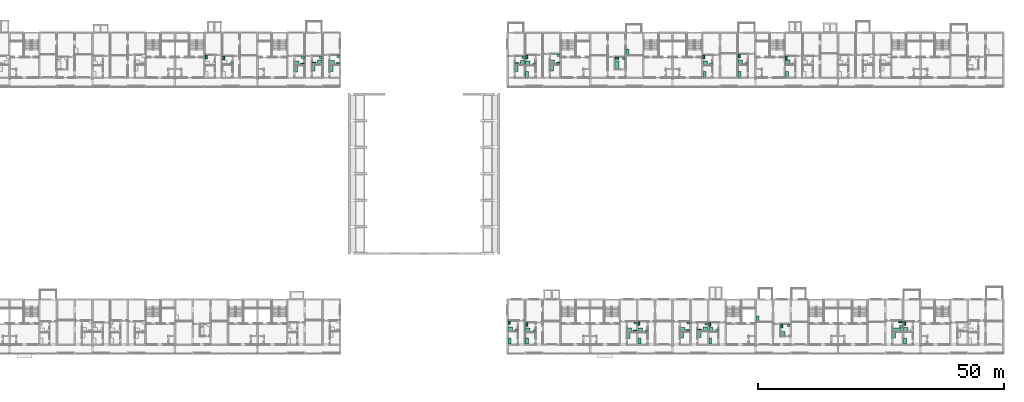
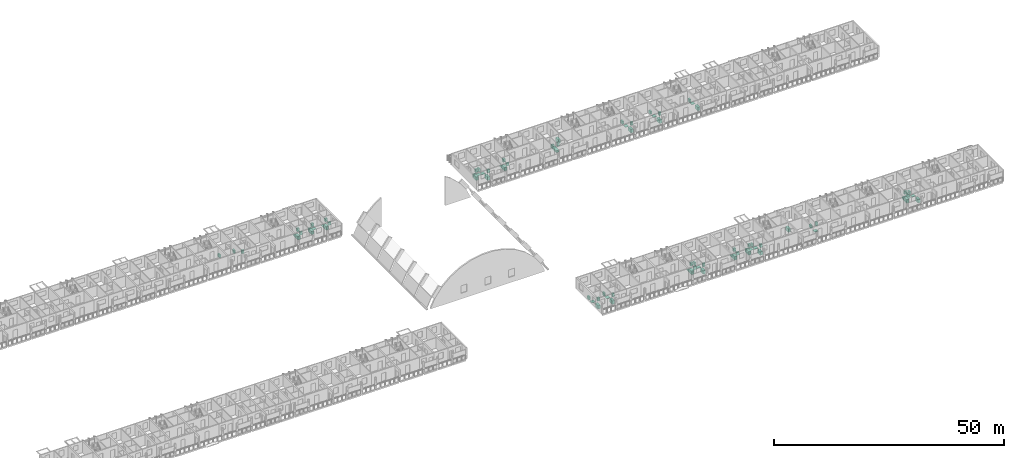
# One storey, part 99 of 100: 81 sanitary terminals.
"""IFC4 building model written with IfcOpenShell, lengths in metres."""

from ifc_helpers import new_model, si_unit, direction, frame, origin, origin_2d, place, context, subcontext, project, spatial, rectangle, extrude, element, save


model = new_model("IFC4")

# Units and contexts
model_context = context("Model", 3, precision=1e-05, world=origin(), true_north=direction((0.0, 1.0)))
body_context = subcontext(model_context, "Body", "Model", "MODEL_VIEW")
ifc_project = project(units=[si_unit("LENGTHUNIT", "METRE"), si_unit("AREAUNIT", "SQUARE_METRE"), si_unit("VOLUMEUNIT", "CUBIC_METRE"), si_unit("PLANEANGLEUNIT", "RADIAN"), si_unit("MASSUNIT", "GRAM", prefix="KILO")], contexts=[model_context])

# Site, building, storey
site_placement = place(None, origin())
site = spatial("IfcSite", under=ifc_project, at=site_placement, CompositionType="ELEMENT")
building_placement = place(site_placement, origin())
building = spatial("IfcBuilding", under=site, at=building_placement, Name="Ridgestep Commons", CompositionType="ELEMENT")
storey_placement = place(building_placement, frame((0.0, 0.0, 9.0)))
storey = spatial("IfcBuildingStorey", under=building, at=storey_placement, Name="L03", CompositionType="ELEMENT", Elevation=9.0)

# Sanitary terminals
sanitary_terminal_1_placement = place(storey_placement, frame((89.10009765625, 71.949951171875, 0.0), z_axis=(0.0, 0.0, 1.0), x_axis=(1.0, 0.0, 0.0)))
element("IfcSanitaryTerminal", 1, at=sanitary_terminal_1_placement, inside=storey, Name="WC B5-03a", PredefinedType="TOILETPAN", context=body_context, shape_type="SweptSolid", body=[
    extrude(rectangle(XDim=0.39990234375, YDim=0.699951171875, at=origin_2d()), origin(), (0.0, 0.0, 1.0), 0.800048828125),
])
sanitary_terminal_2_placement = place(storey_placement, frame((90.614990234375, 70.8349609375, 0.0), z_axis=(0.0, 0.0, 1.0), x_axis=(1.0, 0.0, 0.0)))
element("IfcSanitaryTerminal", 2, at=sanitary_terminal_2_placement, inside=storey, Name="Basin B5-03a", PredefinedType="WASHHANDBASIN", context=body_context, shape_type="SweptSolid", body=[
    extrude(rectangle(XDim=0.550048828125, YDim=0.449951171875, at=origin_2d()), origin(), (0.0, 0.0, 1.0), 0.85009765625),
])
sanitary_terminal_3_placement = place(storey_placement, frame((85.52490234375, 72.14990234375, 0.0), z_axis=(0.0, 0.0, 1.0), x_axis=(1.0, 0.0, 0.0)))
element("IfcSanitaryTerminal", 3, at=sanitary_terminal_3_placement, inside=storey, Name="WC B5-03b", PredefinedType="TOILETPAN", context=body_context, shape_type="SweptSolid", body=[
    extrude(rectangle(XDim=0.39990234375, YDim=0.699951171875, at=origin_2d()), origin(), (0.0, 0.0, 1.0), 0.800048828125),
])
sanitary_terminal_4_placement = place(storey_placement, frame((111.159912109375, 70.9599609375, 0.0), z_axis=(0.0, 0.0, 1.0), x_axis=(1.0, 0.0, 0.0)))
element("IfcSanitaryTerminal", 4, at=sanitary_terminal_4_placement, inside=storey, Name="Shower tray B6-03a", PredefinedType="SHOWER", context=body_context, shape_type="SweptSolid", body=[
    extrude(rectangle(XDim=0.89990234375, YDim=0.89990234375, at=origin_2d()), origin(), (0.0, 0.0, 1.0), 0.10009765625),
])
sanitary_terminal_5_placement = place(storey_placement, frame((112.300048828125, 70.7099609375, 0.0), z_axis=(0.0, 0.0, 1.0), x_axis=(1.0, 0.0, 0.0)))
element("IfcSanitaryTerminal", 5, at=sanitary_terminal_5_placement, inside=storey, Name="WC B6-03a", PredefinedType="TOILETPAN", context=body_context, shape_type="SweptSolid", body=[
    extrude(rectangle(XDim=0.699951171875, YDim=0.39990234375, at=origin_2d()), origin(), (0.0, 0.0, 1.0), 0.800048828125),
])
sanitary_terminal_6_placement = place(storey_placement, frame((112.375, 72.27490234375, 0.0), z_axis=(0.0, 0.0, 1.0), x_axis=(1.0, 0.0, 0.0)))
element("IfcSanitaryTerminal", 6, at=sanitary_terminal_6_placement, inside=storey, Name="Basin B6-03a", PredefinedType="WASHHANDBASIN", context=body_context, shape_type="SweptSolid", body=[
    extrude(rectangle(XDim=0.550048828125, YDim=0.449951171875, at=origin_2d()), origin(), (0.0, 0.0, 1.0), 0.85009765625),
])
sanitary_terminal_7_placement = place(storey_placement, frame((111.010009765625, 69.800048828125, 0.0), z_axis=(0.0, 0.0, 1.0), x_axis=(1.0, 0.0, 0.0)))
element("IfcSanitaryTerminal", 7, at=sanitary_terminal_7_placement, inside=storey, Name="Kitchen sink B6-03a", PredefinedType="SINK", context=body_context, shape_type="SweptSolid", body=[
    extrude(rectangle(XDim=0.60009765625, YDim=1.199951171875, at=origin_2d()), origin(), (0.0, 0.0, 1.0), 0.89990234375),
])
sanitary_terminal_8_placement = place(storey_placement, frame((108.64990234375, 71.06005859375, 0.0), z_axis=(0.0, 0.0, 1.0), x_axis=(1.0, 0.0, 0.0)))
element("IfcSanitaryTerminal", 8, at=sanitary_terminal_8_placement, inside=storey, Name="Shower tray B6-03b", PredefinedType="SHOWER", context=body_context, shape_type="SweptSolid", body=[
    extrude(rectangle(XDim=0.89990234375, YDim=0.89990234375, at=origin_2d()), origin(), (0.0, 0.0, 1.0), 0.10009765625),
])
sanitary_terminal_9_placement = place(storey_placement, frame((107.4599609375, 70.81005859375, 0.0), z_axis=(0.0, 0.0, 1.0), x_axis=(1.0, 0.0, 0.0)))
element("IfcSanitaryTerminal", 9, at=sanitary_terminal_9_placement, inside=storey, Name="WC B6-03b", PredefinedType="TOILETPAN", context=body_context, shape_type="SweptSolid", body=[
    extrude(rectangle(XDim=0.699951171875, YDim=0.39990234375, at=origin_2d()), origin(), (0.0, 0.0, 1.0), 0.800048828125),
])
sanitary_terminal_10_placement = place(storey_placement, frame((108.824951171875, 72.074951171875, 0.0), z_axis=(0.0, 0.0, 1.0), x_axis=(1.0, 0.0, 0.0)))
element("IfcSanitaryTerminal", 10, at=sanitary_terminal_10_placement, inside=storey, Name="Basin B6-03b", PredefinedType="WASHHANDBASIN", context=body_context, shape_type="SweptSolid", body=[
    extrude(rectangle(XDim=0.550048828125, YDim=0.449951171875, at=origin_2d()), origin(), (0.0, 0.0, 1.0), 0.85009765625),
])
sanitary_terminal_11_placement = place(storey_placement, frame((107.409912109375, 69.89990234375, 0.0), z_axis=(0.0, 0.0, 1.0), x_axis=(1.0, 0.0, 0.0)))
element("IfcSanitaryTerminal", 11, at=sanitary_terminal_11_placement, inside=storey, Name="Kitchen sink B6-03b", PredefinedType="SINK", context=body_context, shape_type="SweptSolid", body=[
    extrude(rectangle(XDim=0.60009765625, YDim=1.199951171875, at=origin_2d()), origin(), (0.0, 0.0, 1.0), 0.89990234375),
])
sanitary_terminal_12_placement = place(storey_placement, frame((103.985107421875, 70.860107421875, 0.0), z_axis=(0.0, 0.0, 1.0), x_axis=(1.0, 0.0, 0.0)))
element("IfcSanitaryTerminal", 12, at=sanitary_terminal_12_placement, inside=storey, Name="Shower tray B6-03c", PredefinedType="SHOWER", context=body_context, shape_type="SweptSolid", body=[
    extrude(rectangle(XDim=0.89990234375, YDim=0.89990234375, at=origin_2d()), origin(), (0.0, 0.0, 1.0), 0.10009765625),
])
sanitary_terminal_13_placement = place(storey_placement, frame((105.14990234375, 70.610107421875, 0.0), z_axis=(0.0, 0.0, 1.0), x_axis=(1.0, 0.0, 0.0)))
element("IfcSanitaryTerminal", 13, at=sanitary_terminal_13_placement, inside=storey, Name="WC B6-03c", PredefinedType="TOILETPAN", context=body_context, shape_type="SweptSolid", body=[
    extrude(rectangle(XDim=0.699951171875, YDim=0.39990234375, at=origin_2d()), origin(), (0.0, 0.0, 1.0), 0.800048828125),
])
sanitary_terminal_14_placement = place(storey_placement, frame((105.22509765625, 72.074951171875, 0.0), z_axis=(0.0, 0.0, 1.0), x_axis=(1.0, 0.0, 0.0)))
element("IfcSanitaryTerminal", 14, at=sanitary_terminal_14_placement, inside=storey, Name="Basin B6-03c", PredefinedType="WASHHANDBASIN", context=body_context, shape_type="SweptSolid", body=[
    extrude(rectangle(XDim=0.550048828125, YDim=0.449951171875, at=origin_2d()), origin(), (0.0, 0.0, 1.0), 0.85009765625),
])
sanitary_terminal_15_placement = place(storey_placement, frame((103.8349609375, 69.699951171875, 0.0), z_axis=(0.0, 0.0, 1.0), x_axis=(1.0, 0.0, 0.0)))
element("IfcSanitaryTerminal", 15, at=sanitary_terminal_15_placement, inside=storey, Name="Kitchen sink B6-03c", PredefinedType="SINK", context=body_context, shape_type="SweptSolid", body=[
    extrude(rectangle(XDim=0.60009765625, YDim=1.199951171875, at=origin_2d()), origin(), (0.0, 0.0, 1.0), 0.89990234375),
])
sanitary_terminal_16_placement = place(storey_placement, frame((149.85009765625, 70.9599609375, 0.0), z_axis=(0.0, 0.0, 1.0), x_axis=(1.0, 0.0, 0.0)))
element("IfcSanitaryTerminal", 16, at=sanitary_terminal_16_placement, inside=storey, Name="Shower tray C1-03a", PredefinedType="SHOWER", context=body_context, shape_type="SweptSolid", body=[
    extrude(rectangle(XDim=0.89990234375, YDim=0.89990234375, at=origin_2d()), origin(), (0.0, 0.0, 1.0), 0.10009765625),
])
sanitary_terminal_17_placement = place(storey_placement, frame((148.7099609375, 70.7099609375, 0.0), z_axis=(0.0, 0.0, 1.0), x_axis=(1.0, 0.0, 0.0)))
element("IfcSanitaryTerminal", 17, at=sanitary_terminal_17_placement, inside=storey, Name="WC C1-03a", PredefinedType="TOILETPAN", context=body_context, shape_type="SweptSolid", body=[
    extrude(rectangle(XDim=0.699951171875, YDim=0.39990234375, at=origin_2d()), origin(), (0.0, 0.0, 1.0), 0.800048828125),
])
sanitary_terminal_18_placement = place(storey_placement, frame((150.02490234375, 72.074951171875, 0.0), z_axis=(0.0, 0.0, 1.0), x_axis=(1.0, 0.0, 0.0)))
element("IfcSanitaryTerminal", 18, at=sanitary_terminal_18_placement, inside=storey, Name="Basin C1-03a", PredefinedType="WASHHANDBASIN", context=body_context, shape_type="SweptSolid", body=[
    extrude(rectangle(XDim=0.550048828125, YDim=0.449951171875, at=origin_2d()), origin(), (0.0, 0.0, 1.0), 0.85009765625),
])
sanitary_terminal_19_placement = place(storey_placement, frame((148.659912109375, 69.800048828125, 0.0), z_axis=(0.0, 0.0, 1.0), x_axis=(1.0, 0.0, 0.0)))
element("IfcSanitaryTerminal", 19, at=sanitary_terminal_19_placement, inside=storey, Name="Kitchen sink C1-03a", PredefinedType="SINK", context=body_context, shape_type="SweptSolid", body=[
    extrude(rectangle(XDim=0.60009765625, YDim=1.199951171875, at=origin_2d()), origin(), (0.0, 0.0, 1.0), 0.89990234375),
])
sanitary_terminal_20_placement = place(storey_placement, frame((150.949951171875, 70.860107421875, 0.0), z_axis=(0.0, 0.0, 1.0), x_axis=(1.0, 0.0, 0.0)))
element("IfcSanitaryTerminal", 20, at=sanitary_terminal_20_placement, inside=storey, Name="Shower tray C1-03b", PredefinedType="SHOWER", context=body_context, shape_type="SweptSolid", body=[
    extrude(rectangle(XDim=0.89990234375, YDim=0.89990234375, at=origin_2d()), origin(), (0.0, 0.0, 1.0), 0.10009765625),
])
sanitary_terminal_21_placement = place(storey_placement, frame((150.699951171875, 72.14990234375, 0.0), z_axis=(0.0, 0.0, 1.0), x_axis=(1.0, 0.0, 0.0)))
element("IfcSanitaryTerminal", 21, at=sanitary_terminal_21_placement, inside=storey, Name="WC C1-03b", PredefinedType="TOILETPAN", context=body_context, shape_type="SweptSolid", body=[
    extrude(rectangle(XDim=0.39990234375, YDim=0.699951171875, at=origin_2d()), origin(), (0.0, 0.0, 1.0), 0.800048828125),
])
sanitary_terminal_22_placement = place(storey_placement, frame((152.215087890625, 70.635009765625, 0.0), z_axis=(0.0, 0.0, 1.0), x_axis=(1.0, 0.0, 0.0)))
element("IfcSanitaryTerminal", 22, at=sanitary_terminal_22_placement, inside=storey, Name="Basin C1-03b", PredefinedType="WASHHANDBASIN", context=body_context, shape_type="SweptSolid", body=[
    extrude(rectangle(XDim=0.550048828125, YDim=0.449951171875, at=origin_2d()), origin(), (0.0, 0.0, 1.0), 0.85009765625),
])
sanitary_terminal_23_placement = place(storey_placement, frame((150.800048828125, 68.60009765625, 0.0), z_axis=(0.0, 0.0, 1.0), x_axis=(1.0, 0.0, 0.0)))
element("IfcSanitaryTerminal", 23, at=sanitary_terminal_23_placement, inside=storey, Name="Kitchen sink C1-03b", PredefinedType="SINK", context=body_context, shape_type="SweptSolid", body=[
    extrude(rectangle(XDim=0.60009765625, YDim=1.199951171875, at=origin_2d()), origin(), (0.0, 0.0, 1.0), 0.89990234375),
])
sanitary_terminal_24_placement = place(storey_placement, frame((155.9599609375, 71.06005859375, 0.0), z_axis=(0.0, 0.0, 1.0), x_axis=(1.0, 0.0, 0.0)))
element("IfcSanitaryTerminal", 24, at=sanitary_terminal_24_placement, inside=storey, Name="Shower tray C1-03c", PredefinedType="SHOWER", context=body_context, shape_type="SweptSolid", body=[
    extrude(rectangle(XDim=0.89990234375, YDim=0.89990234375, at=origin_2d()), origin(), (0.0, 0.0, 1.0), 0.10009765625),
])
sanitary_terminal_25_placement = place(storey_placement, frame((157.125, 70.81005859375, 0.0), z_axis=(0.0, 0.0, 1.0), x_axis=(1.0, 0.0, 0.0)))
element("IfcSanitaryTerminal", 25, at=sanitary_terminal_25_placement, inside=storey, Name="WC C1-03c", PredefinedType="TOILETPAN", context=body_context, shape_type="SweptSolid", body=[
    extrude(rectangle(XDim=0.699951171875, YDim=0.39990234375, at=origin_2d()), origin(), (0.0, 0.0, 1.0), 0.800048828125),
])
sanitary_terminal_26_placement = place(storey_placement, frame((157.199951171875, 72.47509765625, 0.0), z_axis=(0.0, 0.0, 1.0), x_axis=(1.0, 0.0, 0.0)))
element("IfcSanitaryTerminal", 26, at=sanitary_terminal_26_placement, inside=storey, Name="Basin C1-03c", PredefinedType="WASHHANDBASIN", context=body_context, shape_type="SweptSolid", body=[
    extrude(rectangle(XDim=0.550048828125, YDim=0.449951171875, at=origin_2d()), origin(), (0.0, 0.0, 1.0), 0.85009765625),
])
sanitary_terminal_27_placement = place(storey_placement, frame((155.81005859375, 69.89990234375, 0.0), z_axis=(0.0, 0.0, 1.0), x_axis=(1.0, 0.0, 0.0)))
element("IfcSanitaryTerminal", 27, at=sanitary_terminal_27_placement, inside=storey, Name="Kitchen sink C1-03c", PredefinedType="SINK", context=body_context, shape_type="SweptSolid", body=[
    extrude(rectangle(XDim=0.60009765625, YDim=1.199951171875, at=origin_2d()), origin(), (0.0, 0.0, 1.0), 0.89990234375),
])
sanitary_terminal_28_placement = place(storey_placement, frame((169.0849609375, 70.510009765625, 0.0), z_axis=(0.0, 0.0, 1.0), x_axis=(1.0, 0.0, 0.0)))
element("IfcSanitaryTerminal", 28, at=sanitary_terminal_28_placement, inside=storey, Name="Bath C2-03a", PredefinedType="BATH", context=body_context, shape_type="SweptSolid", body=[
    extrude(rectangle(XDim=0.75, YDim=1.699951171875, at=origin_2d()), origin(), (0.0, 0.0, 1.0), 0.550048828125),
])
sanitary_terminal_29_placement = place(storey_placement, frame((169.06005859375, 71.860107421875, 0.0), z_axis=(0.0, 0.0, 1.0), x_axis=(1.0, 0.0, 0.0)))
element("IfcSanitaryTerminal", 29, at=sanitary_terminal_29_placement, inside=storey, Name="WC C2-03a", PredefinedType="TOILETPAN", context=body_context, shape_type="SweptSolid", body=[
    extrude(rectangle(XDim=0.699951171875, YDim=0.39990234375, at=origin_2d()), origin(), (0.0, 0.0, 1.0), 0.800048828125),
])
sanitary_terminal_30_placement = place(storey_placement, frame((170.425048828125, 71.8349609375, 0.0), z_axis=(0.0, 0.0, 1.0), x_axis=(1.0, 0.0, 0.0)))
element("IfcSanitaryTerminal", 30, at=sanitary_terminal_30_placement, inside=storey, Name="Basin C2-03a", PredefinedType="WASHHANDBASIN", context=body_context, shape_type="SweptSolid", body=[
    extrude(rectangle(XDim=0.550048828125, YDim=0.449951171875, at=origin_2d()), origin(), (0.0, 0.0, 1.0), 0.85009765625),
])
sanitary_terminal_31_placement = place(storey_placement, frame((171.199951171875, 73.110107421875, 0.0), z_axis=(0.0, 0.0, 1.0), x_axis=(1.0, 0.0, 0.0)))
element("IfcSanitaryTerminal", 31, at=sanitary_terminal_31_placement, inside=storey, Name="Kitchen sink C2-03a", PredefinedType="SINK", context=body_context, shape_type="SweptSolid", body=[
    extrude(rectangle(XDim=0.60009765625, YDim=1.199951171875, at=origin_2d()), origin(), (0.0, 0.0, 1.0), 0.89990234375),
])
sanitary_terminal_32_placement = place(storey_placement, frame((194.14990234375, 71.06005859375, 0.0), z_axis=(0.0, 0.0, 1.0), x_axis=(1.0, 0.0, 0.0)))
element("IfcSanitaryTerminal", 32, at=sanitary_terminal_32_placement, inside=storey, Name="Shower tray C3-03a", PredefinedType="SHOWER", context=body_context, shape_type="SweptSolid", body=[
    extrude(rectangle(XDim=0.89990234375, YDim=0.89990234375, at=origin_2d()), origin(), (0.0, 0.0, 1.0), 0.10009765625),
])
sanitary_terminal_33_placement = place(storey_placement, frame((193.89990234375, 72.35009765625, 0.0), z_axis=(0.0, 0.0, 1.0), x_axis=(1.0, 0.0, 0.0)))
element("IfcSanitaryTerminal", 33, at=sanitary_terminal_33_placement, inside=storey, Name="WC C3-03a", PredefinedType="TOILETPAN", context=body_context, shape_type="SweptSolid", body=[
    extrude(rectangle(XDim=0.39990234375, YDim=0.699951171875, at=origin_2d()), origin(), (0.0, 0.0, 1.0), 0.800048828125),
])
sanitary_terminal_34_placement = place(storey_placement, frame((195.364990234375, 70.8349609375, 0.0), z_axis=(0.0, 0.0, 1.0), x_axis=(1.0, 0.0, 0.0)))
element("IfcSanitaryTerminal", 34, at=sanitary_terminal_34_placement, inside=storey, Name="Basin C3-03a", PredefinedType="WASHHANDBASIN", context=body_context, shape_type="SweptSolid", body=[
    extrude(rectangle(XDim=0.550048828125, YDim=0.449951171875, at=origin_2d()), origin(), (0.0, 0.0, 1.0), 0.85009765625),
])
sanitary_terminal_35_placement = place(storey_placement, frame((194.0, 68.60009765625, 0.0), z_axis=(0.0, 0.0, 1.0), x_axis=(1.0, 0.0, 0.0)))
element("IfcSanitaryTerminal", 35, at=sanitary_terminal_35_placement, inside=storey, Name="Kitchen sink C3-03a", PredefinedType="SINK", context=body_context, shape_type="SweptSolid", body=[
    extrude(rectangle(XDim=0.60009765625, YDim=1.199951171875, at=origin_2d()), origin(), (0.0, 0.0, 1.0), 0.89990234375),
])
sanitary_terminal_36_placement = place(storey_placement, frame((186.97509765625, 70.860107421875, 0.0), z_axis=(0.0, 0.0, 1.0), x_axis=(1.0, 0.0, 0.0)))
element("IfcSanitaryTerminal", 36, at=sanitary_terminal_36_placement, inside=storey, Name="Shower tray C3-03b", PredefinedType="SHOWER", context=body_context, shape_type="SweptSolid", body=[
    extrude(rectangle(XDim=0.89990234375, YDim=0.89990234375, at=origin_2d()), origin(), (0.0, 0.0, 1.0), 0.10009765625),
])
sanitary_terminal_37_placement = place(storey_placement, frame((186.72509765625, 72.14990234375, 0.0), z_axis=(0.0, 0.0, 1.0), x_axis=(1.0, 0.0, 0.0)))
element("IfcSanitaryTerminal", 37, at=sanitary_terminal_37_placement, inside=storey, Name="WC C3-03b", PredefinedType="TOILETPAN", context=body_context, shape_type="SweptSolid", body=[
    extrude(rectangle(XDim=0.39990234375, YDim=0.699951171875, at=origin_2d()), origin(), (0.0, 0.0, 1.0), 0.800048828125),
])
sanitary_terminal_38_placement = place(storey_placement, frame((188.18994140625, 70.635009765625, 0.0), z_axis=(0.0, 0.0, 1.0), x_axis=(1.0, 0.0, 0.0)))
element("IfcSanitaryTerminal", 38, at=sanitary_terminal_38_placement, inside=storey, Name="Basin C3-03b", PredefinedType="WASHHANDBASIN", context=body_context, shape_type="SweptSolid", body=[
    extrude(rectangle(XDim=0.550048828125, YDim=0.449951171875, at=origin_2d()), origin(), (0.0, 0.0, 1.0), 0.85009765625),
])
sanitary_terminal_39_placement = place(storey_placement, frame((186.824951171875, 68.60009765625, 0.0), z_axis=(0.0, 0.0, 1.0), x_axis=(1.0, 0.0, 0.0)))
element("IfcSanitaryTerminal", 39, at=sanitary_terminal_39_placement, inside=storey, Name="Kitchen sink C3-03b", PredefinedType="SINK", context=body_context, shape_type="SweptSolid", body=[
    extrude(rectangle(XDim=0.60009765625, YDim=1.199951171875, at=origin_2d()), origin(), (0.0, 0.0, 1.0), 0.89990234375),
])
sanitary_terminal_40_placement = place(storey_placement, frame((203.77490234375, 71.06005859375, 0.0), z_axis=(0.0, 0.0, 1.0), x_axis=(1.0, 0.0, 0.0)))
element("IfcSanitaryTerminal", 40, at=sanitary_terminal_40_placement, inside=storey, Name="Shower tray C4-03b", PredefinedType="SHOWER", context=body_context, shape_type="SweptSolid", body=[
    extrude(rectangle(XDim=0.89990234375, YDim=0.89990234375, at=origin_2d()), origin(), (0.0, 0.0, 1.0), 0.10009765625),
])
sanitary_terminal_41_placement = place(storey_placement, frame((203.52490234375, 71.949951171875, 0.0), z_axis=(0.0, 0.0, 1.0), x_axis=(1.0, 0.0, 0.0)))
element("IfcSanitaryTerminal", 41, at=sanitary_terminal_41_placement, inside=storey, Name="WC C4-03b", PredefinedType="TOILETPAN", context=body_context, shape_type="SweptSolid", body=[
    extrude(rectangle(XDim=0.39990234375, YDim=0.699951171875, at=origin_2d()), origin(), (0.0, 0.0, 1.0), 0.800048828125),
])
sanitary_terminal_42_placement = place(storey_placement, frame((203.625, 68.60009765625, 0.0), z_axis=(0.0, 0.0, 1.0), x_axis=(1.0, 0.0, 0.0)))
element("IfcSanitaryTerminal", 42, at=sanitary_terminal_42_placement, inside=storey, Name="Kitchen sink C4-03b", PredefinedType="SINK", context=body_context, shape_type="SweptSolid", body=[
    extrude(rectangle(XDim=0.60009765625, YDim=1.199951171875, at=origin_2d()), origin(), (0.0, 0.0, 1.0), 0.89990234375),
])
sanitary_terminal_43_placement = place(storey_placement, frame((147.39990234375, 16.81005859375, 0.0), z_axis=(0.0, 0.0, 1.0), x_axis=(1.0, 0.0, 0.0)))
element("IfcSanitaryTerminal", 43, at=sanitary_terminal_43_placement, inside=storey, Name="Shower tray D1-03a", PredefinedType="SHOWER", context=body_context, shape_type="SweptSolid", body=[
    extrude(rectangle(XDim=0.89990234375, YDim=0.89990234375, at=origin_2d()), origin(), (0.0, 0.0, 1.0), 0.10009765625),
])
sanitary_terminal_44_placement = place(storey_placement, frame((147.14990234375, 18.10009765625, 0.0), z_axis=(0.0, 0.0, 1.0), x_axis=(1.0, 0.0, 0.0)))
element("IfcSanitaryTerminal", 44, at=sanitary_terminal_44_placement, inside=storey, Name="WC D1-03a", PredefinedType="TOILETPAN", context=body_context, shape_type="SweptSolid", body=[
    extrude(rectangle(XDim=0.39990234375, YDim=0.699951171875, at=origin_2d()), origin(), (0.0, 0.0, 1.0), 0.800048828125),
])
sanitary_terminal_45_placement = place(storey_placement, frame((148.614990234375, 16.5849609375, 0.0), z_axis=(0.0, 0.0, 1.0), x_axis=(1.0, 0.0, 0.0)))
element("IfcSanitaryTerminal", 45, at=sanitary_terminal_45_placement, inside=storey, Name="Basin D1-03a", PredefinedType="WASHHANDBASIN", context=body_context, shape_type="SweptSolid", body=[
    extrude(rectangle(XDim=0.550048828125, YDim=0.449951171875, at=origin_2d()), origin(), (0.0, 0.0, 1.0), 0.85009765625),
])
sanitary_terminal_46_placement = place(storey_placement, frame((147.25, 14.35009765625, 0.0), z_axis=(0.0, 0.0, 1.0), x_axis=(1.0, 0.0, 0.0)))
element("IfcSanitaryTerminal", 46, at=sanitary_terminal_46_placement, inside=storey, Name="Kitchen sink D1-03a", PredefinedType="SINK", context=body_context, shape_type="SweptSolid", body=[
    extrude(rectangle(XDim=0.60009765625, YDim=1.199951171875, at=origin_2d()), origin(), (0.0, 0.0, 1.0), 0.89990234375),
])
sanitary_terminal_47_placement = place(storey_placement, frame((150.949951171875, 16.610107421875, 0.0), z_axis=(0.0, 0.0, 1.0), x_axis=(1.0, 0.0, 0.0)))
element("IfcSanitaryTerminal", 47, at=sanitary_terminal_47_placement, inside=storey, Name="Shower tray D1-03b", PredefinedType="SHOWER", context=body_context, shape_type="SweptSolid", body=[
    extrude(rectangle(XDim=0.89990234375, YDim=0.89990234375, at=origin_2d()), origin(), (0.0, 0.0, 1.0), 0.10009765625),
])
sanitary_terminal_48_placement = place(storey_placement, frame((150.699951171875, 17.699951171875, 0.0), z_axis=(0.0, 0.0, 1.0), x_axis=(1.0, 0.0, 0.0)))
element("IfcSanitaryTerminal", 48, at=sanitary_terminal_48_placement, inside=storey, Name="WC D1-03b", PredefinedType="TOILETPAN", context=body_context, shape_type="SweptSolid", body=[
    extrude(rectangle(XDim=0.39990234375, YDim=0.699951171875, at=origin_2d()), origin(), (0.0, 0.0, 1.0), 0.800048828125),
])
sanitary_terminal_49_placement = place(storey_placement, frame((152.215087890625, 16.385009765625, 0.0), z_axis=(0.0, 0.0, 1.0), x_axis=(1.0, 0.0, 0.0)))
element("IfcSanitaryTerminal", 49, at=sanitary_terminal_49_placement, inside=storey, Name="Basin D1-03b", PredefinedType="WASHHANDBASIN", context=body_context, shape_type="SweptSolid", body=[
    extrude(rectangle(XDim=0.550048828125, YDim=0.449951171875, at=origin_2d()), origin(), (0.0, 0.0, 1.0), 0.85009765625),
])
sanitary_terminal_50_placement = place(storey_placement, frame((150.800048828125, 14.35009765625, 0.0), z_axis=(0.0, 0.0, 1.0), x_axis=(1.0, 0.0, 0.0)))
element("IfcSanitaryTerminal", 50, at=sanitary_terminal_50_placement, inside=storey, Name="Kitchen sink D1-03b", PredefinedType="SINK", context=body_context, shape_type="SweptSolid", body=[
    extrude(rectangle(XDim=0.60009765625, YDim=1.199951171875, at=origin_2d()), origin(), (0.0, 0.0, 1.0), 0.89990234375),
])
sanitary_terminal_51_placement = place(storey_placement, frame((173.77490234375, 16.610107421875, 0.0), z_axis=(0.0, 0.0, 1.0), x_axis=(1.0, 0.0, 0.0)))
element("IfcSanitaryTerminal", 51, at=sanitary_terminal_51_placement, inside=storey, Name="Shower tray D2-03a", PredefinedType="SHOWER", context=body_context, shape_type="SweptSolid", body=[
    extrude(rectangle(XDim=0.89990234375, YDim=0.89990234375, at=origin_2d()), origin(), (0.0, 0.0, 1.0), 0.10009765625),
])
sanitary_terminal_52_placement = place(storey_placement, frame((173.52490234375, 17.89990234375, 0.0), z_axis=(0.0, 0.0, 1.0), x_axis=(1.0, 0.0, 0.0)))
element("IfcSanitaryTerminal", 52, at=sanitary_terminal_52_placement, inside=storey, Name="WC D2-03a", PredefinedType="TOILETPAN", context=body_context, shape_type="SweptSolid", body=[
    extrude(rectangle(XDim=0.39990234375, YDim=0.699951171875, at=origin_2d()), origin(), (0.0, 0.0, 1.0), 0.800048828125),
])
sanitary_terminal_53_placement = place(storey_placement, frame((174.989990234375, 16.385009765625, 0.0), z_axis=(0.0, 0.0, 1.0), x_axis=(1.0, 0.0, 0.0)))
element("IfcSanitaryTerminal", 53, at=sanitary_terminal_53_placement, inside=storey, Name="Basin D2-03a", PredefinedType="WASHHANDBASIN", context=body_context, shape_type="SweptSolid", body=[
    extrude(rectangle(XDim=0.550048828125, YDim=0.449951171875, at=origin_2d()), origin(), (0.0, 0.0, 1.0), 0.85009765625),
])
sanitary_terminal_54_placement = place(storey_placement, frame((173.625, 14.35009765625, 0.0), z_axis=(0.0, 0.0, 1.0), x_axis=(1.0, 0.0, 0.0)))
element("IfcSanitaryTerminal", 54, at=sanitary_terminal_54_placement, inside=storey, Name="Kitchen sink D2-03a", PredefinedType="SINK", context=body_context, shape_type="SweptSolid", body=[
    extrude(rectangle(XDim=0.60009765625, YDim=1.199951171875, at=origin_2d()), origin(), (0.0, 0.0, 1.0), 0.89990234375),
])
sanitary_terminal_55_placement = place(storey_placement, frame((171.5849609375, 16.610107421875, 0.0), z_axis=(0.0, 0.0, 1.0), x_axis=(1.0, 0.0, 0.0)))
element("IfcSanitaryTerminal", 55, at=sanitary_terminal_55_placement, inside=storey, Name="Shower tray D2-03b", PredefinedType="SHOWER", context=body_context, shape_type="SweptSolid", body=[
    extrude(rectangle(XDim=0.89990234375, YDim=0.89990234375, at=origin_2d()), origin(), (0.0, 0.0, 1.0), 0.10009765625),
])
sanitary_terminal_56_placement = place(storey_placement, frame((172.72509765625, 16.360107421875, 0.0), z_axis=(0.0, 0.0, 1.0), x_axis=(1.0, 0.0, 0.0)))
element("IfcSanitaryTerminal", 56, at=sanitary_terminal_56_placement, inside=storey, Name="WC D2-03b", PredefinedType="TOILETPAN", context=body_context, shape_type="SweptSolid", body=[
    extrude(rectangle(XDim=0.699951171875, YDim=0.39990234375, at=origin_2d()), origin(), (0.0, 0.0, 1.0), 0.800048828125),
])
sanitary_terminal_57_placement = place(storey_placement, frame((172.800048828125, 18.02490234375, 0.0), z_axis=(0.0, 0.0, 1.0), x_axis=(1.0, 0.0, 0.0)))
element("IfcSanitaryTerminal", 57, at=sanitary_terminal_57_placement, inside=storey, Name="Basin D2-03b", PredefinedType="WASHHANDBASIN", context=body_context, shape_type="SweptSolid", body=[
    extrude(rectangle(XDim=0.550048828125, YDim=0.449951171875, at=origin_2d()), origin(), (0.0, 0.0, 1.0), 0.85009765625),
])
sanitary_terminal_58_placement = place(storey_placement, frame((171.43505859375, 15.449951171875, 0.0), z_axis=(0.0, 0.0, 1.0), x_axis=(1.0, 0.0, 0.0)))
element("IfcSanitaryTerminal", 58, at=sanitary_terminal_58_placement, inside=storey, Name="Kitchen sink D2-03b", PredefinedType="SINK", context=body_context, shape_type="SweptSolid", body=[
    extrude(rectangle(XDim=0.60009765625, YDim=1.199951171875, at=origin_2d()), origin(), (0.0, 0.0, 1.0), 0.89990234375),
])
sanitary_terminal_59_placement = place(storey_placement, frame((182.409912109375, 16.7099609375, 0.0), z_axis=(0.0, 0.0, 1.0), x_axis=(1.0, 0.0, 0.0)))
element("IfcSanitaryTerminal", 59, at=sanitary_terminal_59_placement, inside=storey, Name="Shower tray D3-03a", PredefinedType="SHOWER", context=body_context, shape_type="SweptSolid", body=[
    extrude(rectangle(XDim=0.89990234375, YDim=0.89990234375, at=origin_2d()), origin(), (0.0, 0.0, 1.0), 0.10009765625),
])
sanitary_terminal_60_placement = place(storey_placement, frame((183.52490234375, 16.4599609375, 0.0), z_axis=(0.0, 0.0, 1.0), x_axis=(1.0, 0.0, 0.0)))
element("IfcSanitaryTerminal", 60, at=sanitary_terminal_60_placement, inside=storey, Name="WC D3-03a", PredefinedType="TOILETPAN", context=body_context, shape_type="SweptSolid", body=[
    extrude(rectangle(XDim=0.699951171875, YDim=0.39990234375, at=origin_2d()), origin(), (0.0, 0.0, 1.0), 0.800048828125),
])
sanitary_terminal_61_placement = place(storey_placement, frame((183.60009765625, 18.02490234375, 0.0), z_axis=(0.0, 0.0, 1.0), x_axis=(1.0, 0.0, 0.0)))
element("IfcSanitaryTerminal", 61, at=sanitary_terminal_61_placement, inside=storey, Name="Basin D3-03a", PredefinedType="WASHHANDBASIN", context=body_context, shape_type="SweptSolid", body=[
    extrude(rectangle(XDim=0.550048828125, YDim=0.449951171875, at=origin_2d()), origin(), (0.0, 0.0, 1.0), 0.85009765625),
])
sanitary_terminal_62_placement = place(storey_placement, frame((182.260009765625, 15.550048828125, 0.0), z_axis=(0.0, 0.0, 1.0), x_axis=(1.0, 0.0, 0.0)))
element("IfcSanitaryTerminal", 62, at=sanitary_terminal_62_placement, inside=storey, Name="Kitchen sink D3-03a", PredefinedType="SINK", context=body_context, shape_type="SweptSolid", body=[
    extrude(rectangle(XDim=0.60009765625, YDim=1.199951171875, at=origin_2d()), origin(), (0.0, 0.0, 1.0), 0.89990234375),
])
sanitary_terminal_63_placement = place(storey_placement, frame((187.02490234375, 16.81005859375, 0.0), z_axis=(0.0, 0.0, 1.0), x_axis=(1.0, 0.0, 0.0)))
element("IfcSanitaryTerminal", 63, at=sanitary_terminal_63_placement, inside=storey, Name="Shower tray D3-03b", PredefinedType="SHOWER", context=body_context, shape_type="SweptSolid", body=[
    extrude(rectangle(XDim=0.89990234375, YDim=0.89990234375, at=origin_2d()), origin(), (0.0, 0.0, 1.0), 0.10009765625),
])
sanitary_terminal_64_placement = place(storey_placement, frame((185.885009765625, 16.56005859375, 0.0), z_axis=(0.0, 0.0, 1.0), x_axis=(1.0, 0.0, 0.0)))
element("IfcSanitaryTerminal", 64, at=sanitary_terminal_64_placement, inside=storey, Name="WC D3-03b", PredefinedType="TOILETPAN", context=body_context, shape_type="SweptSolid", body=[
    extrude(rectangle(XDim=0.699951171875, YDim=0.39990234375, at=origin_2d()), origin(), (0.0, 0.0, 1.0), 0.800048828125),
])
sanitary_terminal_65_placement = place(storey_placement, frame((187.199951171875, 17.824951171875, 0.0), z_axis=(0.0, 0.0, 1.0), x_axis=(1.0, 0.0, 0.0)))
element("IfcSanitaryTerminal", 65, at=sanitary_terminal_65_placement, inside=storey, Name="Basin D3-03b", PredefinedType="WASHHANDBASIN", context=body_context, shape_type="SweptSolid", body=[
    extrude(rectangle(XDim=0.550048828125, YDim=0.449951171875, at=origin_2d()), origin(), (0.0, 0.0, 1.0), 0.85009765625),
])
sanitary_terminal_66_placement = place(storey_placement, frame((185.8349609375, 15.64990234375, 0.0), z_axis=(0.0, 0.0, 1.0), x_axis=(1.0, 0.0, 0.0)))
element("IfcSanitaryTerminal", 66, at=sanitary_terminal_66_placement, inside=storey, Name="Kitchen sink D3-03b", PredefinedType="SINK", context=body_context, shape_type="SweptSolid", body=[
    extrude(rectangle(XDim=0.60009765625, YDim=1.199951171875, at=origin_2d()), origin(), (0.0, 0.0, 1.0), 0.89990234375),
])
sanitary_terminal_67_placement = place(storey_placement, frame((188.175048828125, 16.7099609375, 0.0), z_axis=(0.0, 0.0, 1.0), x_axis=(1.0, 0.0, 0.0)))
element("IfcSanitaryTerminal", 67, at=sanitary_terminal_67_placement, inside=storey, Name="Shower tray D3-03c", PredefinedType="SHOWER", context=body_context, shape_type="SweptSolid", body=[
    extrude(rectangle(XDim=0.89990234375, YDim=0.89990234375, at=origin_2d()), origin(), (0.0, 0.0, 1.0), 0.10009765625),
])
sanitary_terminal_68_placement = place(storey_placement, frame((187.925048828125, 17.699951171875, 0.0), z_axis=(0.0, 0.0, 1.0), x_axis=(1.0, 0.0, 0.0)))
element("IfcSanitaryTerminal", 68, at=sanitary_terminal_68_placement, inside=storey, Name="WC D3-03c", PredefinedType="TOILETPAN", context=body_context, shape_type="SweptSolid", body=[
    extrude(rectangle(XDim=0.39990234375, YDim=0.699951171875, at=origin_2d()), origin(), (0.0, 0.0, 1.0), 0.800048828125),
])
sanitary_terminal_69_placement = place(storey_placement, frame((189.389892578125, 16.485107421875, 0.0), z_axis=(0.0, 0.0, 1.0), x_axis=(1.0, 0.0, 0.0)))
element("IfcSanitaryTerminal", 69, at=sanitary_terminal_69_placement, inside=storey, Name="Basin D3-03c", PredefinedType="WASHHANDBASIN", context=body_context, shape_type="SweptSolid", body=[
    extrude(rectangle(XDim=0.550048828125, YDim=0.449951171875, at=origin_2d()), origin(), (0.0, 0.0, 1.0), 0.85009765625),
])
sanitary_terminal_70_placement = place(storey_placement, frame((188.02490234375, 14.35009765625, 0.0), z_axis=(0.0, 0.0, 1.0), x_axis=(1.0, 0.0, 0.0)))
element("IfcSanitaryTerminal", 70, at=sanitary_terminal_70_placement, inside=storey, Name="Kitchen sink D3-03c", PredefinedType="SINK", context=body_context, shape_type="SweptSolid", body=[
    extrude(rectangle(XDim=0.60009765625, YDim=1.199951171875, at=origin_2d()), origin(), (0.0, 0.0, 1.0), 0.89990234375),
])
sanitary_terminal_71_placement = place(storey_placement, frame((202.784912109375, 15.860107421875, 0.0), z_axis=(0.0, 0.0, 1.0), x_axis=(1.0, 0.0, 0.0)))
element("IfcSanitaryTerminal", 71, at=sanitary_terminal_71_placement, inside=storey, Name="Shower tray D4-03a", PredefinedType="SHOWER", context=body_context, shape_type="SweptSolid", body=[
    extrude(rectangle(XDim=0.89990234375, YDim=0.89990234375, at=origin_2d()), origin(), (0.0, 0.0, 1.0), 0.10009765625),
])
sanitary_terminal_72_placement = place(storey_placement, frame((202.534912109375, 17.4599609375, 0.0), z_axis=(0.0, 0.0, 1.0), x_axis=(1.0, 0.0, 0.0)))
element("IfcSanitaryTerminal", 72, at=sanitary_terminal_72_placement, inside=storey, Name="WC D4-03a", PredefinedType="TOILETPAN", context=body_context, shape_type="SweptSolid", body=[
    extrude(rectangle(XDim=0.39990234375, YDim=0.699951171875, at=origin_2d()), origin(), (0.0, 0.0, 1.0), 0.800048828125),
])
sanitary_terminal_73_placement = place(storey_placement, frame((204.0, 17.5849609375, 0.0), z_axis=(0.0, 0.0, 1.0), x_axis=(1.0, 0.0, 0.0)))
element("IfcSanitaryTerminal", 73, at=sanitary_terminal_73_placement, inside=storey, Name="Basin D4-03a", PredefinedType="WASHHANDBASIN", context=body_context, shape_type="SweptSolid", body=[
    extrude(rectangle(XDim=0.550048828125, YDim=0.449951171875, at=origin_2d()), origin(), (0.0, 0.0, 1.0), 0.85009765625),
])
sanitary_terminal_74_placement = place(storey_placement, frame((197.64990234375, 18.860107421875, 0.0), z_axis=(0.0, 0.0, 1.0), x_axis=(1.0, 0.0, 0.0)))
element("IfcSanitaryTerminal", 74, at=sanitary_terminal_74_placement, inside=storey, Name="Kitchen sink D4-03a", PredefinedType="SINK", context=body_context, shape_type="SweptSolid", body=[
    extrude(rectangle(XDim=0.60009765625, YDim=1.199951171875, at=origin_2d()), origin(), (0.0, 0.0, 1.0), 0.89990234375),
])
sanitary_terminal_75_placement = place(storey_placement, frame((227.77490234375, 16.7099609375, 0.0), z_axis=(0.0, 0.0, 1.0), x_axis=(1.0, 0.0, 0.0)))
element("IfcSanitaryTerminal", 75, at=sanitary_terminal_75_placement, inside=storey, Name="Shower tray D5-03a", PredefinedType="SHOWER", context=body_context, shape_type="SweptSolid", body=[
    extrude(rectangle(XDim=0.89990234375, YDim=0.89990234375, at=origin_2d()), origin(), (0.0, 0.0, 1.0), 0.10009765625),
])
sanitary_terminal_76_placement = place(storey_placement, frame((227.52490234375, 17.89990234375, 0.0), z_axis=(0.0, 0.0, 1.0), x_axis=(1.0, 0.0, 0.0)))
element("IfcSanitaryTerminal", 76, at=sanitary_terminal_76_placement, inside=storey, Name="WC D5-03a", PredefinedType="TOILETPAN", context=body_context, shape_type="SweptSolid", body=[
    extrude(rectangle(XDim=0.39990234375, YDim=0.699951171875, at=origin_2d()), origin(), (0.0, 0.0, 1.0), 0.800048828125),
])
sanitary_terminal_77_placement = place(storey_placement, frame((227.625, 14.35009765625, 0.0), z_axis=(0.0, 0.0, 1.0), x_axis=(1.0, 0.0, 0.0)))
element("IfcSanitaryTerminal", 77, at=sanitary_terminal_77_placement, inside=storey, Name="Kitchen sink D5-03a", PredefinedType="SINK", context=body_context, shape_type="SweptSolid", body=[
    extrude(rectangle(XDim=0.60009765625, YDim=1.199951171875, at=origin_2d()), origin(), (0.0, 0.0, 1.0), 0.89990234375),
])
sanitary_terminal_78_placement = place(storey_placement, frame((225.985107421875, 16.635009765625, 0.0), z_axis=(0.0, 0.0, 1.0), x_axis=(1.0, 0.0, 0.0)))
element("IfcSanitaryTerminal", 78, at=sanitary_terminal_78_placement, inside=storey, Name="Bath D5-03b", PredefinedType="BATH", context=body_context, shape_type="SweptSolid", body=[
    extrude(rectangle(XDim=1.699951171875, YDim=0.75, at=origin_2d()), origin(), (0.0, 0.0, 1.0), 0.550048828125),
])
sanitary_terminal_79_placement = place(storey_placement, frame((226.72509765625, 18.25, 0.0), z_axis=(0.0, 0.0, 1.0), x_axis=(1.0, 0.0, 0.0)))
element("IfcSanitaryTerminal", 79, at=sanitary_terminal_79_placement, inside=storey, Name="WC D5-03b", PredefinedType="TOILETPAN", context=body_context, shape_type="SweptSolid", body=[
    extrude(rectangle(XDim=0.699951171875, YDim=0.39990234375, at=origin_2d()), origin(), (0.0, 0.0, 1.0), 0.800048828125),
])
sanitary_terminal_80_placement = place(storey_placement, frame((226.800048828125, 17.284912109375, 0.0), z_axis=(0.0, 0.0, 1.0), x_axis=(1.0, 0.0, 0.0)))
element("IfcSanitaryTerminal", 80, at=sanitary_terminal_80_placement, inside=storey, Name="Basin D5-03b", PredefinedType="WASHHANDBASIN", context=body_context, shape_type="SweptSolid", body=[
    extrude(rectangle(XDim=0.550048828125, YDim=0.449951171875, at=origin_2d()), origin(), (0.0, 0.0, 1.0), 0.85009765625),
])
sanitary_terminal_81_placement = place(storey_placement, frame((225.43505859375, 15.550048828125, 0.0), z_axis=(0.0, 0.0, 1.0), x_axis=(1.0, 0.0, 0.0)))
element("IfcSanitaryTerminal", 81, at=sanitary_terminal_81_placement, inside=storey, Name="Kitchen sink D5-03b", PredefinedType="SINK", context=body_context, shape_type="SweptSolid", body=[
    extrude(rectangle(XDim=0.60009765625, YDim=1.199951171875, at=origin_2d()), origin(), (0.0, 0.0, 1.0), 0.89990234375),
])

save(model, "model.ifc")
